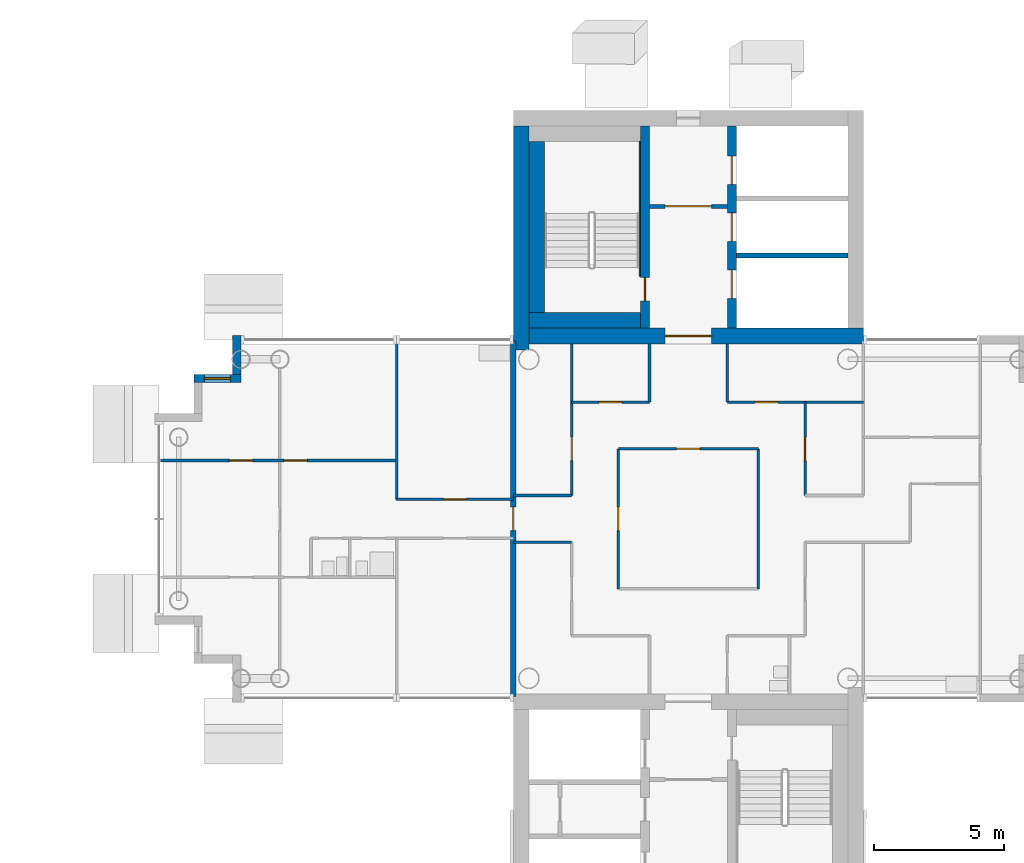
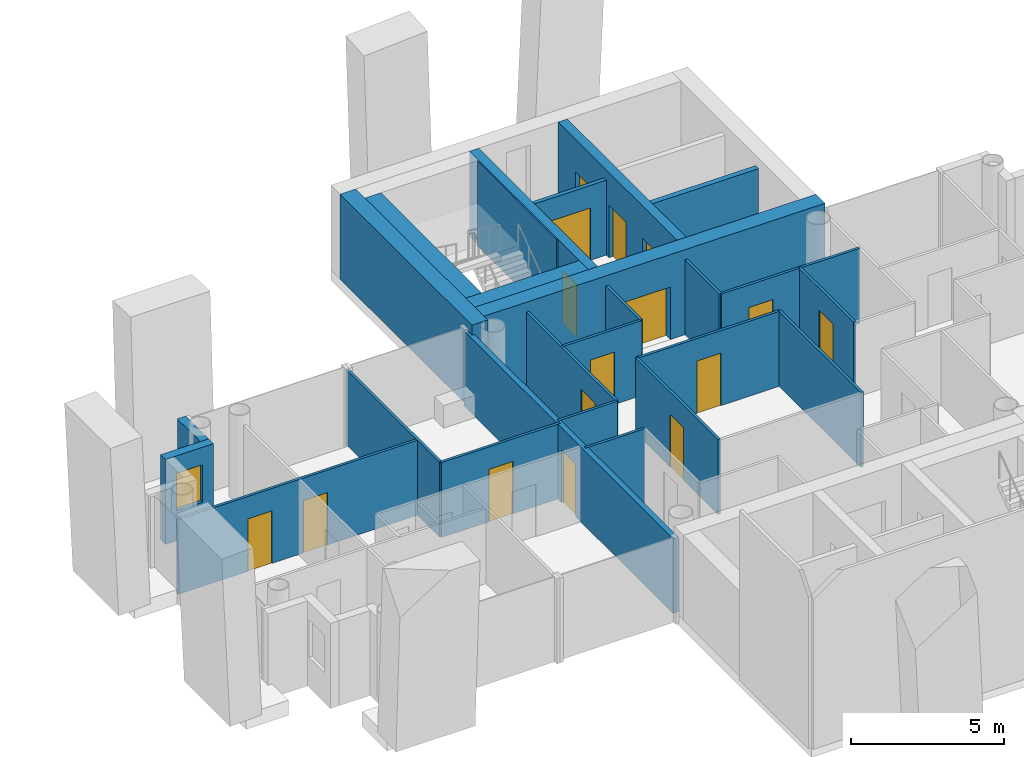
# One storey, part 10 of 18: 26 walls, 16 doors, 1 window, 17 openings.
"""IFC4 building model written with IfcOpenShell, lengths in metres."""

from ifc_helpers import new_model, si_unit, direction, frame, frame_2d, origin, place, context, subcontext, project, spatial, rectangle, extrude, material, layer, layer_set, type_object, element, fill, save


model = new_model("IFC4")

# Units and contexts
model_context = context("Model", 3, precision=1e-05, world=origin(), true_north=direction((0.0, 1.0)))
body_context = subcontext(model_context, "Body", "Model", "MODEL_VIEW")
ifc_project = project(units=[si_unit("LENGTHUNIT", "METRE"), si_unit("AREAUNIT", "SQUARE_METRE"), si_unit("VOLUMEUNIT", "CUBIC_METRE"), si_unit("PLANEANGLEUNIT", "RADIAN"), si_unit("MASSUNIT", "GRAM", prefix="KILO")], contexts=[model_context])

# Site, building, storey
site_placement = place(None, origin())
site = spatial("IfcSite", under=ifc_project, at=site_placement, CompositionType="ELEMENT")
building_placement = place(site_placement, origin())
building = spatial("IfcBuilding", under=site, at=building_placement, Name="Ipe Terrace Towers", CompositionType="ELEMENT")
storey_placement = place(building_placement, frame((0.0, 0.0, 223.199951171875)))
storey = spatial("IfcBuildingStorey", under=building, at=storey_placement, Name="L62", CompositionType="ELEMENT", Elevation=223.199951171875)

# Wall
ifc_material_1 = material(Name="Concrete C40/50 with buff precast cladding", Category="concrete")
ifc_layer_1 = layer(ifc_material_1, 0.320068359375)
ifc_layer_set_1 = layer_set([ifc_layer_1], Name="BUFF CLADDING WALL 320")
wall_type_1 = type_object("IfcWallType", Name="BUFF CLADDING WALL 320", PredefinedType="STANDARD", material=ifc_layer_set_1)
wall_1_placement = place(storey_placement, frame((18.590087890625, 7.070068359375, -0.300048828125), z_axis=(0.0, 0.0, 1.0), x_axis=(0.0, -1.0, 0.0)))
element("IfcWall", 1, at=wall_1_placement, inside=storey, type_object=wall_type_1, Name="T2-W-L62-22a wall", PredefinedType="STANDARD", context=body_context, shape_type="SweptSolid", body=[
    extrude(rectangle(XDim=1.5, YDim=0.320068359375, at=frame_2d((0.75, 0.0))), origin(), (0.0, 0.0, 1.0), 3.400146484375),
])

# Wall, opening, window
wall_2_placement = place(storey_placement, frame((18.75, 5.409912109375, -0.300048828125), z_axis=(0.0, 0.0, 1.0), x_axis=(-1.0, 0.0, 0.0)))
wall_2 = element("IfcWall", 2, at=wall_2_placement, inside=storey, type_object=wall_type_1, Name="T2-W-L62-23a wall", PredefinedType="STANDARD", context=body_context, shape_type="SweptSolid", body=[
    extrude(rectangle(XDim=1.820068359375, YDim=0.320068359375, at=frame_2d((0.91015625, 0.0))), origin(), (0.0, 0.0, 1.0), 3.400146484375),
])
opening_1_placement = place(wall_2_placement, frame((0.409912109375, 0.0, 1.199951171875)))
opening_1 = element("IfcOpeningElement", 3, at=opening_1_placement, cuts=wall_2, Name="Opening T2-W-05-L62-02", PredefinedType="OPENING", context=body_context, shape_type="SweptSolid", body=[
    extrude(rectangle(XDim=1.0, YDim=1.5, at=frame_2d((0.5, 0.75))), frame((0.0, 0.169921875, 0.0), z_axis=(0.0, -1.0, 0.0), x_axis=(1.0, 0.0, 0.0)), (0.0, 0.0, 1.0), 0.340087890625),
])
ifc_material_2 = material(Name="Glass, clear laminated", Category="glass")
window_type = type_object("IfcWindowType", Name="DWELLING WINDOW 1000 x 1500", PartitioningType="SINGLE_PANEL", PredefinedType="WINDOW", material=ifc_material_2)
window_placement = place(opening_1_placement, origin())
window = element("IfcWindow", 4, at=window_placement, inside=storey, type_object=window_type, Name="W-05 window", OverallHeight=1.5, OverallWidth=1.0, PartitioningType="SINGLE_PANEL", PredefinedType="WINDOW", context=body_context, shape_type="SweptSolid", body=[
    extrude(rectangle(XDim=1.0, YDim=1.5, at=frame_2d((0.5, 0.75))), frame((0.0, 0.030029296875, 0.0), z_axis=(0.0, -1.0, 0.0), x_axis=(1.0, 0.0, 0.0)), (0.0, 0.0, 1.0), 0.06005859375),
])
fill(opening_1, window)

# Wall
ifc_material_3 = material(Name="Gypsum board partition", Category="plasterboard")
ifc_layer_2 = layer(ifc_material_3, 0.10009765625)
ifc_layer_set_2 = layer_set([ifc_layer_2], Name="Gypsum board partition 100 mm")
wall_type_2 = type_object("IfcWallType", Name="Gypsum board partition 100 mm", PredefinedType="PARTITIONING", material=ifc_layer_set_2)
wall_3_placement = place(storey_placement, frame((31.5, -0.89990234375, 0.0), z_axis=(0.0, 0.0, 1.0), x_axis=(-1.0, 0.0, 0.0)))
element("IfcWall", 5, at=wall_3_placement, inside=storey, type_object=wall_type_2, Name="Gypsum board partition T2 L62 W06", PredefinedType="PARTITIONING", context=body_context, shape_type="SweptSolid", body=[
    extrude(rectangle(XDim=2.25, YDim=0.10009765625, at=frame_2d((1.125, 0.0))), origin(), (0.0, 0.0, 1.0), 3.0),
])

# Wall, opening, door
wall_4_placement = place(storey_placement, frame((29.25, 0.75, 0.0), z_axis=(0.0, 0.0, 1.0), x_axis=(-1.0, 0.0, 0.0)))
wall_4 = element("IfcWall", 6, at=wall_4_placement, inside=storey, type_object=wall_type_2, Name="Gypsum board partition T2 L62 W08", PredefinedType="PARTITIONING", context=body_context, shape_type="SweptSolid", body=[
    extrude(rectangle(XDim=4.5, YDim=0.10009765625, at=frame_2d((2.25, 0.0))), origin(), (0.0, 0.0, 1.0), 3.0),
])
opening_2_placement = place(wall_4_placement, frame((1.800048828125, 0.0, 0.0)))
opening_2 = element("IfcOpeningElement", 7, at=opening_2_placement, cuts=wall_4, Name="Opening T2-Z4F-11", PredefinedType="OPENING", context=body_context, shape_type="SweptSolid", body=[
    extrude(rectangle(XDim=0.89990234375, YDim=2.10009765625, at=frame_2d((0.449951171875, 1.050048828125))), frame((0.0, 0.06005859375, 0.0), z_axis=(0.0, -1.0, 0.0), x_axis=(1.0, 0.0, 0.0)), (0.0, 0.0, 1.0), 0.1201171875),
])
ifc_material_4 = material(Name="Timber door leaf", Category="wood")
door_type_1 = type_object("IfcDoorType", Name="Lounge door 900 x 2100", OperationType="NOTDEFINED", PredefinedType="DOOR", material=ifc_material_4)
door_1_placement = place(opening_2_placement, origin())
door_1 = element("IfcDoor", 8, at=door_1_placement, inside=storey, type_object=door_type_1, Name="Lounge door T2-Z4F-11", OperationType="SINGLE_SWING_RIGHT", OverallHeight=2.10009765625, OverallWidth=0.89990234375, PredefinedType="DOOR", context=body_context, shape_type="SweptSolid", body=[
    extrude(rectangle(XDim=0.89990234375, YDim=2.10009765625, at=frame_2d((0.449951171875, 1.050048828125))), frame((0.0, 0.02490234375, 0.0), z_axis=(0.0, -1.0, 0.0), x_axis=(1.0, 0.0, 0.0)), (0.0, 0.0, 1.0), 0.050048828125),
])
fill(opening_2, door_1)

# Wall
wall_5_placement = place(storey_placement, frame((31.5, 0.89990234375, 0.0), z_axis=(0.0, 0.0, 1.0), x_axis=(-1.0, 0.0, 0.0)))
element("IfcWall", 9, at=wall_5_placement, inside=storey, type_object=wall_type_2, Name="Gypsum board partition T2 L62 W10", PredefinedType="PARTITIONING", context=body_context, shape_type="SweptSolid", body=[
    extrude(rectangle(XDim=2.25, YDim=0.10009765625, at=frame_2d((1.125, 0.0))), origin(), (0.0, 0.0, 1.0), 3.0),
])

# Wall, openings, doors
wall_6_placement = place(storey_placement, frame((24.75, 2.25, 0.0), z_axis=(0.0, 0.0, 1.0), x_axis=(-1.0, 0.0, 0.0)))
wall_6 = element("IfcWall", 10, at=wall_6_placement, inside=storey, type_object=wall_type_2, Name="Gypsum board partition T2 L62 W12", PredefinedType="PARTITIONING", context=body_context, shape_type="SweptSolid", body=[
    extrude(rectangle(XDim=9.10009765625, YDim=0.10009765625, at=frame_2d((4.550048828125, 0.0))), origin(), (0.0, 0.0, 1.0), 3.0),
])
opening_3_placement = place(wall_6_placement, frame((3.449951171875, 0.0, 0.0)))
opening_3 = element("IfcOpeningElement", 11, at=opening_3_placement, cuts=wall_6, Name="Opening T2-Z4F-16", PredefinedType="OPENING", context=body_context, shape_type="SweptSolid", body=[
    extrude(rectangle(XDim=0.89990234375, YDim=2.10009765625, at=frame_2d((0.449951171875, 1.050048828125))), frame((0.0, 0.06005859375, 0.0), z_axis=(0.0, -1.0, 0.0), x_axis=(1.0, 0.0, 0.0)), (0.0, 0.0, 1.0), 0.1201171875),
])
opening_4_placement = place(wall_6_placement, frame((5.550048828125, 0.0, 0.0)))
opening_4 = element("IfcOpeningElement", 12, at=opening_4_placement, cuts=wall_6, Name="Opening T2-Z4F-19", PredefinedType="OPENING", context=body_context, shape_type="SweptSolid", body=[
    extrude(rectangle(XDim=0.89990234375, YDim=2.10009765625, at=frame_2d((0.449951171875, 1.050048828125))), frame((0.0, 0.06005859375, 0.0), z_axis=(0.0, -1.0, 0.0), x_axis=(1.0, 0.0, 0.0)), (0.0, 0.0, 1.0), 0.1201171875),
])
ifc_material_5 = material(Name="Timber door leaf", Category="wood")
door_type_2 = type_object("IfcDoorType", Name="Bedroom door 900 x 2100", OperationType="NOTDEFINED", PredefinedType="DOOR", material=ifc_material_5)
door_2_placement = place(opening_3_placement, origin())
door_2 = element("IfcDoor", 13, at=door_2_placement, inside=storey, type_object=door_type_2, Name="Bedroom door T2-Z4F-16", OperationType="SINGLE_SWING_LEFT", OverallHeight=2.10009765625, OverallWidth=0.89990234375, PredefinedType="DOOR", context=body_context, shape_type="SweptSolid", body=[
    extrude(rectangle(XDim=0.89990234375, YDim=2.10009765625, at=frame_2d((0.449951171875, 1.050048828125))), frame((0.0, 0.02490234375, 0.0), z_axis=(0.0, -1.0, 0.0), x_axis=(1.0, 0.0, 0.0)), (0.0, 0.0, 1.0), 0.050048828125),
])
fill(opening_3, door_2)
door_3_placement = place(opening_4_placement, origin())
door_3 = element("IfcDoor", 14, at=door_3_placement, inside=storey, type_object=door_type_2, Name="Bedroom door T2-Z4F-19", OperationType="SINGLE_SWING_RIGHT", OverallHeight=2.10009765625, OverallWidth=0.89990234375, PredefinedType="DOOR", context=body_context, shape_type="SweptSolid", body=[
    extrude(rectangle(XDim=0.89990234375, YDim=2.10009765625, at=frame_2d((0.449951171875, 1.050048828125))), frame((0.0, 0.02490234375, 0.0), z_axis=(0.0, -1.0, 0.0), x_axis=(1.0, 0.0, 0.0)), (0.0, 0.0, 1.0), 0.050048828125),
])
fill(opening_4, door_3)

# Wall, opening, door
wall_7_placement = place(storey_placement, frame((38.699951171875, 2.699951171875, 0.0), z_axis=(0.0, 0.0, 1.0), x_axis=(-1.0, 0.0, 0.0)))
wall_7 = element("IfcWall", 15, at=wall_7_placement, inside=storey, type_object=wall_type_2, Name="Gypsum board partition T2 L62 W13", PredefinedType="PARTITIONING", context=body_context, shape_type="SweptSolid", body=[
    extrude(rectangle(XDim=5.39990234375, YDim=0.10009765625, at=frame_2d((2.699951171875, 0.0))), origin(), (0.0, 0.0, 1.0), 3.0),
])
opening_5_placement = place(wall_7_placement, frame((2.25, 0.0, 0.0)))
opening_5 = element("IfcOpeningElement", 16, at=opening_5_placement, cuts=wall_7, Name="Opening T2-Z4F-02", PredefinedType="OPENING", context=body_context, shape_type="SweptSolid", body=[
    extrude(rectangle(XDim=0.89990234375, YDim=2.10009765625, at=frame_2d((0.449951171875, 1.050048828125))), frame((0.0, 0.06005859375, 0.0), z_axis=(0.0, -1.0, 0.0), x_axis=(1.0, 0.0, 0.0)), (0.0, 0.0, 1.0), 0.1201171875),
])
door_4_placement = place(opening_5_placement, origin())
door_4 = element("IfcDoor", 17, at=door_4_placement, inside=storey, type_object=door_type_1, Name="Lounge door T2-Z4F-02", OperationType="SINGLE_SWING_LEFT", OverallHeight=2.10009765625, OverallWidth=0.89990234375, PredefinedType="DOOR", context=body_context, shape_type="SweptSolid", body=[
    extrude(rectangle(XDim=0.89990234375, YDim=2.10009765625, at=frame_2d((0.449951171875, 1.050048828125))), frame((0.0, 0.02490234375, 0.0), z_axis=(0.0, -1.0, 0.0), x_axis=(1.0, 0.0, 0.0)), (0.0, 0.0, 1.0), 0.050048828125),
])
fill(opening_5, door_4)

wall_8_placement = place(storey_placement, frame((42.75, 4.5, 0.0), z_axis=(0.0, 0.0, 1.0), x_axis=(-1.0, 0.0, 0.0)))
wall_8 = element("IfcWall", 18, at=wall_8_placement, inside=storey, type_object=wall_type_2, Name="Gypsum board partition T2 L62 W15", PredefinedType="PARTITIONING", context=body_context, shape_type="SweptSolid", body=[
    extrude(rectangle(XDim=5.25, YDim=0.10009765625, at=frame_2d((2.625, 0.0))), origin(), (0.0, 0.0, 1.0), 3.0),
])
opening_6_placement = place(wall_8_placement, frame((3.300048828125, 0.0, 0.0)))
opening_6 = element("IfcOpeningElement", 19, at=opening_6_placement, cuts=wall_8, Name="Opening T2-Z4F-09", PredefinedType="OPENING", context=body_context, shape_type="SweptSolid", body=[
    extrude(rectangle(XDim=0.89990234375, YDim=2.10009765625, at=frame_2d((0.449951171875, 1.050048828125))), frame((0.0, 0.06005859375, 0.0), z_axis=(0.0, -1.0, 0.0), x_axis=(1.0, 0.0, 0.0)), (0.0, 0.0, 1.0), 0.1201171875),
])
door_5_placement = place(opening_6_placement, origin())
door_5 = element("IfcDoor", 20, at=door_5_placement, inside=storey, type_object=door_type_1, Name="Lounge door T2-Z4F-09", OperationType="SINGLE_SWING_RIGHT", OverallHeight=2.10009765625, OverallWidth=0.89990234375, PredefinedType="DOOR", context=body_context, shape_type="SweptSolid", body=[
    extrude(rectangle(XDim=0.89990234375, YDim=2.10009765625, at=frame_2d((0.449951171875, 1.050048828125))), frame((0.0, 0.02490234375, 0.0), z_axis=(0.0, -1.0, 0.0), x_axis=(1.0, 0.0, 0.0)), (0.0, 0.0, 1.0), 0.050048828125),
])
fill(opening_6, door_5)

wall_9_placement = place(storey_placement, frame((34.5, 4.5, 0.0), z_axis=(0.0, 0.0, 1.0), x_axis=(-1.0, 0.0, 0.0)))
wall_9 = element("IfcWall", 21, at=wall_9_placement, inside=storey, type_object=wall_type_2, Name="Gypsum board partition T2 L62 W16", PredefinedType="PARTITIONING", context=body_context, shape_type="SweptSolid", body=[
    extrude(rectangle(XDim=3.0, YDim=0.10009765625, at=frame_2d((1.5, 0.0))), origin(), (0.0, 0.0, 1.0), 3.0),
])
opening_7_placement = place(wall_9_placement, frame((1.050048828125, 0.0, 0.0)))
opening_7 = element("IfcOpeningElement", 22, at=opening_7_placement, cuts=wall_9, Name="Opening T2-Z4F-05", PredefinedType="OPENING", context=body_context, shape_type="SweptSolid", body=[
    extrude(rectangle(XDim=0.89990234375, YDim=2.10009765625, at=frame_2d((0.449951171875, 1.050048828125))), frame((0.0, 0.06005859375, 0.0), z_axis=(0.0, -1.0, 0.0), x_axis=(1.0, 0.0, 0.0)), (0.0, 0.0, 1.0), 0.1201171875),
])
door_6_placement = place(opening_7_placement, origin())
door_6 = element("IfcDoor", 23, at=door_6_placement, inside=storey, type_object=door_type_1, Name="Lounge door T2-Z4F-05", OperationType="SINGLE_SWING_RIGHT", OverallHeight=2.10009765625, OverallWidth=0.89990234375, PredefinedType="DOOR", context=body_context, shape_type="SweptSolid", body=[
    extrude(rectangle(XDim=0.89990234375, YDim=2.10009765625, at=frame_2d((0.449951171875, 1.050048828125))), frame((0.0, 0.02490234375, 0.0), z_axis=(0.0, -1.0, 0.0), x_axis=(1.0, 0.0, 0.0)), (0.0, 0.0, 1.0), 0.050048828125),
])
fill(opening_7, door_6)

wall_10_placement = place(storey_placement, frame((40.5, 0.89990234375, 0.0), z_axis=(0.0, 0.0, 1.0), x_axis=(0.0, 1.0, 0.0)))
wall_10 = element("IfcWall", 24, at=wall_10_placement, inside=storey, type_object=wall_type_2, Name="Gypsum board partition T2 L62 W22", PredefinedType="PARTITIONING", context=body_context, shape_type="SweptSolid", body=[
    extrude(rectangle(XDim=3.60009765625, YDim=0.10009765625, at=frame_2d((1.800048828125, 0.0))), origin(), (0.0, 0.0, 1.0), 3.0),
])
opening_8_placement = place(wall_10_placement, frame((1.35009765625, 0.0, 0.0)))
opening_8 = element("IfcOpeningElement", 25, at=opening_8_placement, cuts=wall_10, Name="Opening T2-Z4F-08", PredefinedType="OPENING", context=body_context, shape_type="SweptSolid", body=[
    extrude(rectangle(XDim=0.89990234375, YDim=2.10009765625, at=frame_2d((0.449951171875, 1.050048828125))), frame((0.0, 0.06005859375, 0.0), z_axis=(0.0, -1.0, 0.0), x_axis=(1.0, 0.0, 0.0)), (0.0, 0.0, 1.0), 0.1201171875),
])
door_7_placement = place(opening_8_placement, origin())
door_7 = element("IfcDoor", 26, at=door_7_placement, inside=storey, type_object=door_type_1, Name="Lounge door T2-Z4F-08", OperationType="SINGLE_SWING_RIGHT", OverallHeight=2.10009765625, OverallWidth=0.89990234375, PredefinedType="DOOR", context=body_context, shape_type="SweptSolid", body=[
    extrude(rectangle(XDim=0.89990234375, YDim=2.10009765625, at=frame_2d((0.449951171875, 1.050048828125))), frame((0.0, 0.02490234375, 0.0), z_axis=(0.0, -1.0, 0.0), x_axis=(1.0, 0.0, 0.0)), (0.0, 0.0, 1.0), 0.050048828125),
])
fill(opening_8, door_7)

# Walls
wall_11_placement = place(storey_placement, frame((38.699951171875, -2.699951171875, 0.0), z_axis=(0.0, 0.0, 1.0), x_axis=(0.0, 1.0, 0.0)))
element("IfcWall", 27, at=wall_11_placement, inside=storey, type_object=wall_type_2, Name="Gypsum board partition T2 L62 W24", PredefinedType="PARTITIONING", context=body_context, shape_type="SweptSolid", body=[
    extrude(rectangle(XDim=5.39990234375, YDim=0.10009765625, at=frame_2d((2.699951171875, 0.0))), origin(), (0.0, 0.0, 1.0), 3.0),
])
for number, where, z_axis, x_axis, name in (
    (28, (37.5, 4.5, 0.0), (0.0, 0.0, 1.0), (0.0, 1.0, 0.0), "Gypsum board partition T2 L62 W26"),
    (29, (34.5, 4.5, 0.0), (0.0, 0.0, 1.0), (0.0, 1.0, 0.0), "Gypsum board partition T2 L62 W28"),
):
    element("IfcWall", number, at=place(storey_placement, frame(where, z_axis=z_axis, x_axis=x_axis)), inside=storey, type_object=wall_type_2, Name=name, PredefinedType="PARTITIONING", context=body_context, shape_type="SweptSolid", body=[
        extrude(rectangle(XDim=2.25, YDim=0.10009765625, at=frame_2d((1.125, 0.0))), origin(), (0.0, 0.0, 1.0), 3.0),
    ])

# Wall, opening, door
wall_12_placement = place(storey_placement, frame((33.300048828125, -2.699951171875, 0.0), z_axis=(0.0, 0.0, 1.0), x_axis=(0.0, 1.0, 0.0)))
wall_12 = element("IfcWall", 30, at=wall_12_placement, inside=storey, type_object=wall_type_2, Name="Gypsum board partition T2 L62 W29", PredefinedType="PARTITIONING", context=body_context, shape_type="SweptSolid", body=[
    extrude(rectangle(XDim=5.39990234375, YDim=0.10009765625, at=frame_2d((2.699951171875, 0.0))), origin(), (0.0, 0.0, 1.0), 3.0),
])
opening_9_placement = place(wall_12_placement, frame((2.25, 0.0, 0.0)))
opening_9 = element("IfcOpeningElement", 31, at=opening_9_placement, cuts=wall_12, Name="Opening T2-Z4F-01", PredefinedType="OPENING", context=body_context, shape_type="SweptSolid", body=[
    extrude(rectangle(XDim=0.89990234375, YDim=2.10009765625, at=frame_2d((0.449951171875, 1.050048828125))), frame((0.0, 0.06005859375, 0.0), z_axis=(0.0, -1.0, 0.0), x_axis=(1.0, 0.0, 0.0)), (0.0, 0.0, 1.0), 0.1201171875),
])
door_8_placement = place(opening_9_placement, origin())
door_8 = element("IfcDoor", 32, at=door_8_placement, inside=storey, type_object=door_type_1, Name="Lounge door T2-Z4F-01", OperationType="SINGLE_SWING_RIGHT", OverallHeight=2.10009765625, OverallWidth=0.89990234375, PredefinedType="DOOR", context=body_context, shape_type="SweptSolid", body=[
    extrude(rectangle(XDim=0.89990234375, YDim=2.10009765625, at=frame_2d((0.449951171875, 1.050048828125))), frame((0.0, 0.02490234375, 0.0), z_axis=(0.0, -1.0, 0.0), x_axis=(1.0, 0.0, 0.0)), (0.0, 0.0, 1.0), 0.050048828125),
])
fill(opening_9, door_8)

wall_13_placement = place(storey_placement, frame((31.5, 0.89990234375, 0.0), z_axis=(0.0, 0.0, 1.0), x_axis=(0.0, 1.0, 0.0)))
wall_13 = element("IfcWall", 33, at=wall_13_placement, inside=storey, type_object=wall_type_2, Name="Gypsum board partition T2 L62 W31", PredefinedType="PARTITIONING", context=body_context, shape_type="SweptSolid", body=[
    extrude(rectangle(XDim=5.85009765625, YDim=0.10009765625, at=frame_2d((2.925048828125, 0.0))), origin(), (0.0, 0.0, 1.0), 3.0),
])
opening_10_placement = place(wall_13_placement, frame((1.35009765625, 0.0, 0.0)))
opening_10 = element("IfcOpeningElement", 34, at=opening_10_placement, cuts=wall_13, Name="Opening T2-Z4F-04", PredefinedType="OPENING", context=body_context, shape_type="SweptSolid", body=[
    extrude(rectangle(XDim=0.89990234375, YDim=2.10009765625, at=frame_2d((0.449951171875, 1.050048828125))), frame((0.0, 0.06005859375, 0.0), z_axis=(0.0, -1.0, 0.0), x_axis=(1.0, 0.0, 0.0)), (0.0, 0.0, 1.0), 0.1201171875),
])
door_9_placement = place(opening_10_placement, origin())
door_9 = element("IfcDoor", 35, at=door_9_placement, inside=storey, type_object=door_type_1, Name="Lounge door T2-Z4F-04", OperationType="SINGLE_SWING_RIGHT", OverallHeight=2.10009765625, OverallWidth=0.89990234375, PredefinedType="DOOR", context=body_context, shape_type="SweptSolid", body=[
    extrude(rectangle(XDim=0.89990234375, YDim=2.10009765625, at=frame_2d((0.449951171875, 1.050048828125))), frame((0.0, 0.02490234375, 0.0), z_axis=(0.0, -1.0, 0.0), x_axis=(1.0, 0.0, 0.0)), (0.0, 0.0, 1.0), 0.050048828125),
])
fill(opening_10, door_9)

# Wall
wall_14_placement = place(storey_placement, frame((24.75, 0.75, 0.0), z_axis=(0.0, 0.0, 1.0), x_axis=(0.0, 1.0, 0.0)))
element("IfcWall", 36, at=wall_14_placement, inside=storey, type_object=wall_type_2, Name="Gypsum board partition T2 L62 W34", PredefinedType="PARTITIONING", context=body_context, shape_type="SweptSolid", body=[
    extrude(rectangle(XDim=6.10009765625, YDim=0.10009765625, at=frame_2d((3.050048828125, 0.0))), origin(), (0.0, 0.0, 1.0), 3.0),
])

# Wall, opening, door
ifc_material_6 = material(Name="Gypsum board partition", Category="plasterboard")
ifc_layer_3 = layer(ifc_material_6, 0.14990234375)
ifc_layer_set_3 = layer_set([ifc_layer_3], Name="Gypsum board partition 150 mm")
wall_type_3 = type_object("IfcWallType", Name="Gypsum board partition 150 mm", PredefinedType="PARTITIONING", material=ifc_layer_set_3)
wall_15_placement = place(storey_placement, frame((37.5, 12.050048828125, 0.0), z_axis=(0.0, 0.0, 1.0), x_axis=(-1.0, 0.0, 0.0)))
wall_15 = element("IfcWall", 37, at=wall_15_placement, inside=storey, type_object=wall_type_3, Name="Gypsum board partition T2 L62 t2c1-lobby-wall", PredefinedType="PARTITIONING", context=body_context, shape_type="SweptSolid", body=[
    extrude(rectangle(XDim=3.0, YDim=0.14990234375, at=frame_2d((1.5, 0.0))), origin(), (0.0, 0.0, 1.0), 3.0),
])
opening_11_placement = place(wall_15_placement, frame((0.60009765625, 0.0, 0.0)))
opening_11 = element("IfcOpeningElement", 38, at=opening_11_placement, cuts=wall_15, Name="Opening T2C1-VD", PredefinedType="OPENING", context=body_context, shape_type="SweptSolid", body=[
    extrude(rectangle(XDim=1.800048828125, YDim=2.10009765625, at=frame_2d((0.89990234375, 1.050048828125))), frame((0.0, 0.0849609375, 0.0), z_axis=(0.0, -1.0, 0.0), x_axis=(1.0, 0.0, 0.0)), (0.0, 0.0, 1.0), 0.169921875),
])
ifc_material_7 = material(Name="Fire-rated timber door leaf", Category="wood")
door_type_3 = type_object("IfcDoorType", Name="Lobby door 1800 x 2100 FD60", OperationType="NOTDEFINED", PredefinedType="DOOR", material=ifc_material_7)
door_10_placement = place(opening_11_placement, origin())
door_10 = element("IfcDoor", 39, at=door_10_placement, inside=storey, type_object=door_type_3, Name="Lobby door T2C1-VD", OperationType="SINGLE_SWING_LEFT", OverallHeight=2.10009765625, OverallWidth=1.800048828125, PredefinedType="DOOR", context=body_context, shape_type="SweptSolid", body=[
    extrude(rectangle(XDim=1.800048828125, YDim=2.10009765625, at=frame_2d((0.89990234375, 1.050048828125))), frame((0.0, 0.02490234375, 0.0), z_axis=(0.0, -1.0, 0.0), x_axis=(1.0, 0.0, 0.0)), (0.0, 0.0, 1.0), 0.050048828125),
])
fill(opening_11, door_10)

# Wall
ifc_material_8 = material(Name="Gypsum board party wall", Category="plasterboard")
ifc_layer_4 = layer(ifc_material_8, 0.199951171875)
ifc_layer_set_4 = layer_set([ifc_layer_4], Name="Gypsum board party wall 200 mm")
wall_type_4 = type_object("IfcWallType", Name="Gypsum board party wall 200 mm", PredefinedType="SOLIDWALL", material=ifc_layer_set_4)
wall_16_placement = place(storey_placement, frame((42.14990234375, 10.14990234375, 0.0), z_axis=(0.0, 0.0, 1.0), x_axis=(-1.0, 0.0, 0.0)))
element("IfcWall", 40, at=wall_16_placement, inside=storey, type_object=wall_type_4, Name="Gypsum board party wall T2 L62 t2c1-shaft-div1", PredefinedType="SOLIDWALL", context=body_context, shape_type="SweptSolid", body=[
    extrude(rectangle(XDim=4.2998046875, YDim=0.199951171875, at=frame_2d((2.14990234375, 0.0))), origin(), (0.0, 0.0, 1.0), 3.0),
])

# Wall, opening, door
wall_17_placement = place(storey_placement, frame((29.25, -6.85009765625, 0.0), z_axis=(0.0, 0.0, 1.0), x_axis=(0.0, 1.0, 0.0)))
wall_17 = element("IfcWall", 41, at=wall_17_placement, inside=storey, type_object=wall_type_4, Name="Gypsum board party wall T2 L62 W32", PredefinedType="SOLIDWALL", context=body_context, shape_type="SweptSolid", body=[
    extrude(rectangle(XDim=13.7001953125, YDim=0.199951171875, at=frame_2d((6.85009765625, 0.0))), origin(), (0.0, 0.0, 1.0), 3.0),
])
opening_12_placement = place(wall_17_placement, frame((6.39990234375, 0.0, 0.0)))
opening_12 = element("IfcOpeningElement", 42, at=opening_12_placement, cuts=wall_17, Name="Opening T2-Z4F-12", PredefinedType="OPENING", context=body_context, shape_type="SweptSolid", body=[
    extrude(rectangle(XDim=0.89990234375, YDim=2.10009765625, at=frame_2d((0.449951171875, 1.050048828125))), frame((0.0, 0.10986328125, 0.0), z_axis=(0.0, -1.0, 0.0), x_axis=(1.0, 0.0, 0.0)), (0.0, 0.0, 1.0), 0.219970703125),
])
ifc_material_9 = material(Name="Fire-rated timber door leaf", Category="wood")
door_type_4 = type_object("IfcDoorType", Name="Flat entrance door 900 x 2100 FD30S", OperationType="NOTDEFINED", PredefinedType="DOOR", material=ifc_material_9)
door_11_placement = place(opening_12_placement, origin())
door_11 = element("IfcDoor", 43, at=door_11_placement, inside=storey, type_object=door_type_4, Name="Flat entrance door T2-Z4F-12", OperationType="SINGLE_SWING_LEFT", OverallHeight=2.10009765625, OverallWidth=0.89990234375, PredefinedType="DOOR", context=body_context, shape_type="SweptSolid", body=[
    extrude(rectangle(XDim=0.89990234375, YDim=2.10009765625, at=frame_2d((0.449951171875, 1.050048828125))), frame((0.0, 0.02490234375, 0.0), z_axis=(0.0, -1.0, 0.0), x_axis=(1.0, 0.0, 0.0)), (0.0, 0.0, 1.0), 0.050048828125),
])
fill(opening_12, door_11)

ifc_material_10 = material(Name="Concrete C40/50", Category="concrete")
ifc_layer_5 = layer(ifc_material_10, 0.35009765625)
ifc_layer_set_5 = layer_set([ifc_layer_5], Name="RW350 CORE SPINE WALL 350 C40-50")
wall_type_5 = type_object("IfcWallType", Name="RW350 CORE SPINE WALL 350 C40-50", PredefinedType="SHEAR", material=ifc_layer_set_5)
wall_18_placement = place(storey_placement, frame((34.324951171875, 7.35009765625, 0.0), z_axis=(0.0, 0.0, 1.0), x_axis=(0.0, 1.0, 0.0)))
wall_18 = element("IfcWall", 44, at=wall_18_placement, inside=storey, type_object=wall_type_5, Name="Core spine wall T2-C1-Z4-SW1", PredefinedType="SHEAR", context=body_context, shape_type="SweptSolid", body=[
    extrude(rectangle(XDim=7.7998046875, YDim=0.35009765625, at=frame_2d((3.89990234375, 0.0))), origin(), (0.0, 0.0, 1.0), 3.400146484375),
])
opening_13_placement = place(wall_18_placement, frame((1.050048828125, 0.0, 0.0)))
opening_13 = element("IfcOpeningElement", 45, at=opening_13_placement, cuts=wall_18, Name="Opening T2C1-SD", PredefinedType="OPENING", context=body_context, shape_type="SweptSolid", body=[
    extrude(rectangle(XDim=0.89990234375, YDim=2.10009765625, at=frame_2d((0.449951171875, 1.050048828125))), frame((0.0, 0.18505859375, 0.0), z_axis=(0.0, -1.0, 0.0), x_axis=(1.0, 0.0, 0.0)), (0.0, 0.0, 1.0), 0.3701171875),
])
ifc_material_11 = material(Name="Fire-rated timber door leaf", Category="wood")
door_type_5 = type_object("IfcDoorType", Name="Stair door 900 x 2100 FD60", OperationType="NOTDEFINED", PredefinedType="DOOR", material=ifc_material_11)
door_12_placement = place(opening_13_placement, origin())
door_12 = element("IfcDoor", 46, at=door_12_placement, inside=storey, type_object=door_type_5, Name="Stair door T2C1-SD", OperationType="SINGLE_SWING_LEFT", OverallHeight=2.10009765625, OverallWidth=0.89990234375, PredefinedType="DOOR", context=body_context, shape_type="SweptSolid", body=[
    extrude(rectangle(XDim=0.89990234375, YDim=2.10009765625, at=frame_2d((0.449951171875, 1.050048828125))), frame((0.0, 0.02490234375, 0.0), z_axis=(0.0, -1.0, 0.0), x_axis=(1.0, 0.0, 0.0)), (0.0, 0.0, 1.0), 0.050048828125),
])
fill(opening_13, door_12)

# Wall, openings, doors
wall_19_placement = place(storey_placement, frame((37.675048828125, 7.35009765625, 0.0), z_axis=(0.0, 0.0, 1.0), x_axis=(0.0, 1.0, 0.0)))
wall_19 = element("IfcWall", 47, at=wall_19_placement, inside=storey, type_object=wall_type_5, Name="Core spine wall T2-C1-Z4-SW2", PredefinedType="SHEAR", context=body_context, shape_type="SweptSolid", body=[
    extrude(rectangle(XDim=7.7998046875, YDim=0.35009765625, at=frame_2d((3.89990234375, 0.0))), origin(), (0.0, 0.0, 1.0), 3.400146484375),
])
opening_14_placement = place(wall_19_placement, frame((1.14990234375, 0.0, 0.0)))
opening_14 = element("IfcOpeningElement", 48, at=opening_14_placement, cuts=wall_19, Name="Opening T2C1-LD1", PredefinedType="OPENING", context=body_context, shape_type="SweptSolid", body=[
    extrude(rectangle(XDim=1.10009765625, YDim=2.10009765625, at=frame_2d((0.550048828125, 1.050048828125))), frame((0.0, 0.18505859375, 0.0), z_axis=(0.0, -1.0, 0.0), x_axis=(1.0, 0.0, 0.0)), (0.0, 0.0, 1.0), 0.3701171875),
])
opening_15_placement = place(wall_19_placement, frame((3.35009765625, 0.0, 0.0)))
opening_15 = element("IfcOpeningElement", 49, at=opening_15_placement, cuts=wall_19, Name="Opening T2C1-LD2", PredefinedType="OPENING", context=body_context, shape_type="SweptSolid", body=[
    extrude(rectangle(XDim=1.10009765625, YDim=2.10009765625, at=frame_2d((0.550048828125, 1.050048828125))), frame((0.0, 0.18505859375, 0.0), z_axis=(0.0, -1.0, 0.0), x_axis=(1.0, 0.0, 0.0)), (0.0, 0.0, 1.0), 0.3701171875),
])
opening_16_placement = place(wall_19_placement, frame((5.550048828125, 0.0, 0.0)))
opening_16 = element("IfcOpeningElement", 50, at=opening_16_placement, cuts=wall_19, Name="Opening T2C1-LD3", PredefinedType="OPENING", context=body_context, shape_type="SweptSolid", body=[
    extrude(rectangle(XDim=1.10009765625, YDim=2.10009765625, at=frame_2d((0.550048828125, 1.050048828125))), frame((0.0, 0.18505859375, 0.0), z_axis=(0.0, -1.0, 0.0), x_axis=(1.0, 0.0, 0.0)), (0.0, 0.0, 1.0), 0.3701171875),
])
ifc_material_12 = material(Name="Fire-rated timber door leaf", Category="wood")
door_type_6 = type_object("IfcDoorType", Name="Sliding door 1100 x 2100 FD60", OperationType="SLIDING_TO_LEFT", PredefinedType="DOOR", material=ifc_material_12)
door_13_placement = place(opening_14_placement, origin())
door_13 = element("IfcDoor", 51, at=door_13_placement, inside=storey, type_object=door_type_6, Name="Sliding door T2C1-LD1", OperationType="SLIDING_TO_LEFT", OverallHeight=2.10009765625, OverallWidth=1.10009765625, PredefinedType="DOOR", context=body_context, shape_type="SweptSolid", body=[
    extrude(rectangle(XDim=1.10009765625, YDim=2.10009765625, at=frame_2d((0.550048828125, 1.050048828125))), frame((0.0, 0.02490234375, 0.0), z_axis=(0.0, -1.0, 0.0), x_axis=(1.0, 0.0, 0.0)), (0.0, 0.0, 1.0), 0.050048828125),
])
fill(opening_14, door_13)
door_14_placement = place(opening_15_placement, origin())
door_14 = element("IfcDoor", 52, at=door_14_placement, inside=storey, type_object=door_type_6, Name="Sliding door T2C1-LD2", OperationType="SLIDING_TO_LEFT", OverallHeight=2.10009765625, OverallWidth=1.10009765625, PredefinedType="DOOR", context=body_context, shape_type="SweptSolid", body=[
    extrude(rectangle(XDim=1.10009765625, YDim=2.10009765625, at=frame_2d((0.550048828125, 1.050048828125))), frame((0.0, 0.02490234375, 0.0), z_axis=(0.0, -1.0, 0.0), x_axis=(1.0, 0.0, 0.0)), (0.0, 0.0, 1.0), 0.050048828125),
])
fill(opening_15, door_14)
door_15_placement = place(opening_16_placement, origin())
door_15 = element("IfcDoor", 53, at=door_15_placement, inside=storey, type_object=door_type_6, Name="Sliding door T2C1-LD3", OperationType="SLIDING_TO_LEFT", OverallHeight=2.10009765625, OverallWidth=1.10009765625, PredefinedType="DOOR", context=body_context, shape_type="SweptSolid", body=[
    extrude(rectangle(XDim=1.10009765625, YDim=2.10009765625, at=frame_2d((0.550048828125, 1.050048828125))), frame((0.0, 0.02490234375, 0.0), z_axis=(0.0, -1.0, 0.0), x_axis=(1.0, 0.0, 0.0)), (0.0, 0.0, 1.0), 0.050048828125),
])
fill(opening_16, door_15)

# Walls
ifc_material_13 = material(Name="Concrete C40/50", Category="concrete")
ifc_layer_6 = layer(ifc_material_13, 0.050048828125)
ifc_layer_set_6 = layer_set([ifc_layer_6], Name="RW50 CORE INFILL WALL 50 C40-50")
wall_type_6 = type_object("IfcWallType", Name="RW50 CORE INFILL WALL 50 C40-50", PredefinedType="SHEAR", material=ifc_layer_set_6)
wall_20_placement = place(storey_placement, frame((34.125, 9.35009765625, 0.0), z_axis=(0.0, 0.0, 1.0), x_axis=(0.0, 1.0, 0.0)))
element("IfcWall", 54, at=wall_20_placement, inside=storey, type_object=wall_type_6, Name="Core infill wall T2-C1-spine-b", PredefinedType="SHEAR", context=body_context, shape_type="SweptSolid", body=[
    extrude(rectangle(XDim=5.199951171875, YDim=0.050048828125, at=frame_2d((2.60009765625, 0.0))), origin(), (0.0, 0.0, 1.0), 3.400146484375),
])
ifc_material_14 = material(Name="Concrete C40/50", Category="concrete")
ifc_layer_7 = layer(ifc_material_14, 0.60009765625)
ifc_layer_set_7 = layer_set([ifc_layer_7], Name="RW600 CORE INFILL WALL 600 C40-50")
wall_type_7 = type_object("IfcWallType", Name="RW600 CORE INFILL WALL 600 C40-50", PredefinedType="SHEAR", material=ifc_layer_set_7)
wall_21_placement = place(storey_placement, frame((30.14990234375, 7.949951171875, 0.0), z_axis=(0.0, 0.0, 1.0), x_axis=(0.0, 1.0, 0.0)))
element("IfcWall", 55, at=wall_21_placement, inside=storey, type_object=wall_type_7, Name="Core infill wall T2-C1-back", PredefinedType="SHEAR", context=body_context, shape_type="SweptSolid", body=[
    extrude(rectangle(XDim=6.60009765625, YDim=0.60009765625, at=frame_2d((3.300048828125, 0.0))), origin(), (0.0, 0.0, 1.0), 3.400146484375),
])
wall_22_placement = place(storey_placement, frame((34.14990234375, 7.64990234375, 0.0), z_axis=(0.0, 0.0, 1.0), x_axis=(-1.0, 0.0, 0.0)))
element("IfcWall", 56, at=wall_22_placement, inside=storey, type_object=wall_type_7, Name="Core infill wall T2-C1-near", PredefinedType="SHEAR", context=body_context, shape_type="SweptSolid", body=[
    extrude(rectangle(XDim=4.2998046875, YDim=0.60009765625, at=frame_2d((2.14990234375, 0.0))), origin(), (0.0, 0.0, 1.0), 3.400146484375),
])

# Wall, opening, door
ifc_material_15 = material(Name="Concrete C40/50", Category="concrete")
ifc_layer_8 = layer(ifc_material_15, 0.60009765625)
ifc_layer_set_8 = layer_set([ifc_layer_8], Name="RW600 CORE WALL 600 C40-50")
wall_type_8 = type_object("IfcWallType", Name="RW600 CORE WALL 600 C40-50", PredefinedType="SHEAR", material=ifc_layer_set_8)
wall_23_placement = place(storey_placement, frame((29.85009765625, 7.050048828125, 0.0), z_axis=(0.0, 0.0, 1.0), x_axis=(1.0, 0.0, 0.0)))
wall_23 = element("IfcWall", 57, at=wall_23_placement, inside=storey, type_object=wall_type_8, Name="Core wall T2-C1-Z4-W01", PredefinedType="SHEAR", context=body_context, shape_type="SweptSolid", body=[
    extrude(rectangle(XDim=12.89990234375, YDim=0.60009765625, at=frame_2d((6.449951171875, 0.0))), origin(), (0.0, 0.0, 1.0), 3.400146484375),
])
opening_17_placement = place(wall_23_placement, frame((5.25, 0.0, 0.0)))
opening_17 = element("IfcOpeningElement", 58, at=opening_17_placement, cuts=wall_23, Name="Opening T2C1-ND", PredefinedType="OPENING", context=body_context, shape_type="SweptSolid", body=[
    extrude(rectangle(XDim=1.800048828125, YDim=2.10009765625, at=frame_2d((0.89990234375, 1.050048828125))), frame((0.0, 0.31005859375, 0.0), z_axis=(0.0, -1.0, 0.0), x_axis=(1.0, 0.0, 0.0)), (0.0, 0.0, 1.0), 0.6201171875),
])
ifc_material_16 = material(Name="Fire-rated timber door leaf", Category="wood")
door_type_7 = type_object("IfcDoorType", Name="Fire door 1800 x 2100 FD30S", OperationType="NOTDEFINED", PredefinedType="DOOR", material=ifc_material_16)
door_16_placement = place(opening_17_placement, origin())
door_16 = element("IfcDoor", 59, at=door_16_placement, inside=storey, type_object=door_type_7, Name="Fire door T2C1-ND", OperationType="SINGLE_SWING_LEFT", OverallHeight=2.10009765625, OverallWidth=1.800048828125, PredefinedType="DOOR", context=body_context, shape_type="SweptSolid", body=[
    extrude(rectangle(XDim=1.800048828125, YDim=2.10009765625, at=frame_2d((0.89990234375, 1.050048828125))), frame((0.0, 0.02490234375, 0.0), z_axis=(0.0, -1.0, 0.0), x_axis=(1.0, 0.0, 0.0)), (0.0, 0.0, 1.0), 0.050048828125),
])
fill(opening_17, door_16)

# Wall
wall_24_placement = place(storey_placement, frame((29.550048828125, 15.14990234375, 0.0), z_axis=(0.0, 0.0, 1.0), x_axis=(0.0, -1.0, 0.0)))
element("IfcWall", 60, at=wall_24_placement, inside=storey, type_object=wall_type_8, Name="Core wall T2-C1-Z4-W04", PredefinedType="SHEAR", context=body_context, shape_type="SweptSolid", body=[
    extrude(rectangle(XDim=8.64794921875, YDim=0.60009765625, at=frame_2d((4.323974609375, 0.0))), origin(), (0.0, 0.0, 1.0), 3.400146484375),
])

save(model, "model.ifc")
